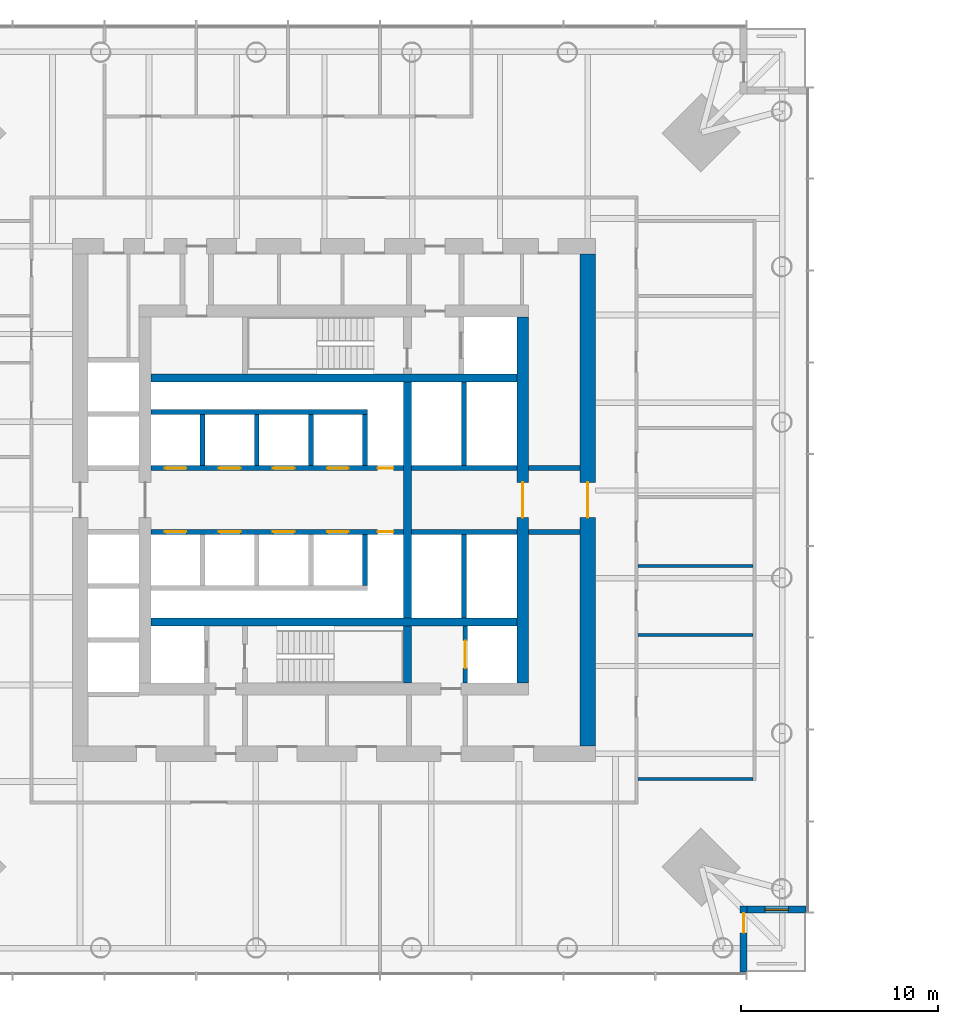
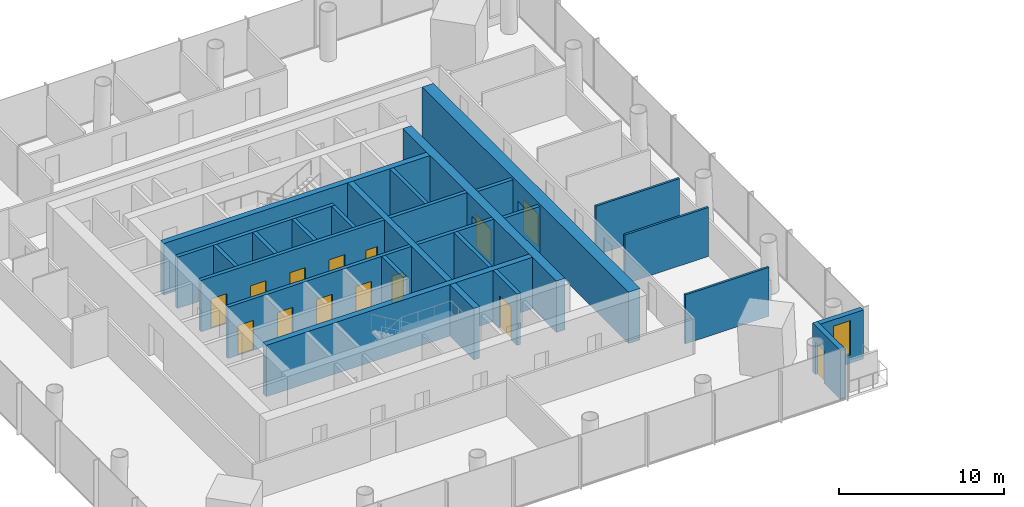
# One storey, part 11 of 21: 26 walls, 14 doors, 1 window, 15 openings.
"""IFC4 building model written with IfcOpenShell, lengths in metres."""

from ifc_helpers import new_model, si_unit, direction, frame, frame_2d, origin, place, context, subcontext, project, spatial, rectangle, extrude, material, layer, layer_set, type_object, element, fill, save


model = new_model("IFC4")

# Units and contexts
model_context = context("Model", 3, precision=1e-05, world=origin(), true_north=direction((0.0, 1.0)))
body_context = subcontext(model_context, "Body", "Model", "MODEL_VIEW")
ifc_project = project(units=[si_unit("LENGTHUNIT", "METRE"), si_unit("AREAUNIT", "SQUARE_METRE"), si_unit("VOLUMEUNIT", "CUBIC_METRE"), si_unit("PLANEANGLEUNIT", "RADIAN"), si_unit("MASSUNIT", "GRAM", prefix="KILO")], contexts=[model_context])

# Site, building, storey
site_placement = place(None, origin())
site = spatial("IfcSite", under=ifc_project, at=site_placement, CompositionType="ELEMENT")
building_placement = place(site_placement, origin())
building = spatial("IfcBuilding", under=site, at=building_placement, Name="Ostroluk Exchange", CompositionType="ELEMENT")
storey_placement = place(building_placement, frame((0.0, 0.0, 59.0)))
storey = spatial("IfcBuildingStorey", under=building, at=storey_placement, Name="L14", CompositionType="ELEMENT", Elevation=59.0)

# Walls
ifc_material_1 = material(Name="Concrete blockwork", Category="masonry")
ifc_layer_1 = layer(ifc_material_1, 0.25)
ifc_layer_set_1 = layer_set([ifc_layer_1], Name="Blockwork stair enclosure wall 250")
wall_type_1 = type_object("IfcWallType", Name="Blockwork stair enclosure wall 250", PredefinedType="SOLIDWALL", material=ifc_layer_set_1)
for number, where, z_axis, x_axis, name in (
    (1, (54.89990234375, 44.375, 0.0), (0.0, 0.0, 1.0), (1.0, 0.0, 0.0), "Lift lobby enclosure wall"),
    (2, (54.89990234375, 47.625, 0.0), (0.0, 0.0, 1.0), (1.0, 0.0, 0.0), "Lift lobby enclosure wall"),
):
    element("IfcWall", number, at=place(storey_placement, frame(where, z_axis=z_axis, x_axis=x_axis)), inside=storey, type_object=wall_type_1, Name=name, PredefinedType="SOLIDWALL", context=body_context, shape_type="SweptSolid", body=[
        extrude(rectangle(XDim=2.60009765625, YDim=0.25, at=frame_2d((1.300048828125, 0.0))), origin(), (0.0, 0.0, 1.0), 3.6201171875),
    ])
ifc_material_2 = material(Name="Concrete C50/60", Category="concrete")
ifc_layer_2 = layer(ifc_material_2, 0.39990234375)
ifc_layer_set_2 = layer_set([ifc_layer_2], Name="Core cross wall 400 C50/60")
wall_type_2 = type_object("IfcWallType", Name="Core cross wall 400 C50/60", PredefinedType="SHEAR", material=ifc_layer_set_2)
for number, where, z_axis, x_axis, name in (
    (3, (35.699951171875, 39.800048828125, 0.0), (0.0, 0.0, 1.0), (1.0, 0.0, 0.0), "T1 core wall XS"),
    (4, (35.699951171875, 52.199951171875, 0.0), (0.0, 0.0, 1.0), (1.0, 0.0, 0.0), "T1 core wall XN"),
):
    element("IfcWall", number, at=place(storey_placement, frame(where, z_axis=z_axis, x_axis=x_axis)), inside=storey, type_object=wall_type_2, Name=name, PredefinedType="SHEAR", context=body_context, shape_type="SweptSolid", body=[
        extrude(rectangle(XDim=18.60009765625, YDim=0.39990234375, at=frame_2d((9.300048828125, 0.0))), origin(), (0.0, 0.0, 1.0), 3.800048828125),
    ])
wall_1_placement = place(storey_placement, frame((48.72998046875, 36.699951171875, 0.0), z_axis=(0.0, 0.0, 1.0), x_axis=(0.0, 1.0, 0.0)))
element("IfcWall", 5, at=wall_1_placement, inside=storey, type_object=wall_type_2, Name="T1 core wall YE1", PredefinedType="SHEAR", context=body_context, shape_type="SweptSolid", body=[
    extrude(rectangle(XDim=2.900146484375, YDim=0.39990234375, at=frame_2d((1.4501953125, 0.0))), origin(), (0.0, 0.0, 1.0), 3.800048828125),
])
wall_2_placement = place(storey_placement, frame((48.72998046875, 40.0, 0.0), z_axis=(0.0, 0.0, 1.0), x_axis=(0.0, 1.0, 0.0)))
element("IfcWall", 6, at=wall_2_placement, inside=storey, type_object=wall_type_2, Name="T1 core wall YE2", PredefinedType="SHEAR", context=body_context, shape_type="SweptSolid", body=[
    extrude(rectangle(XDim=12.0, YDim=0.39990234375, at=frame_2d((6.0, 0.0))), origin(), (0.0, 0.0, 1.0), 3.800048828125),
])

# Wall, opening, door
ifc_material_3 = material(Name="Concrete C40/50", Category="concrete")
ifc_layer_3 = layer(ifc_material_3, 0.25)
ifc_layer_set_3 = layer_set([ifc_layer_3], Name="Core shaft wall 250")
wall_type_3 = type_object("IfcWallType", Name="Core shaft wall 250", PredefinedType="SHEAR", material=ifc_layer_set_3)
wall_3_placement = place(storey_placement, frame((51.675048828125, 36.699951171875, 0.0), z_axis=(0.0, 0.0, 1.0), x_axis=(0.0, 1.0, 0.0)))
wall_3 = element("IfcWall", 7, at=wall_3_placement, inside=storey, type_object=wall_type_3, Name="Service lift shaft wall", PredefinedType="SHEAR", context=body_context, shape_type="SweptSolid", body=[
    extrude(rectangle(XDim=2.900146484375, YDim=0.25, at=frame_2d((1.4501953125, 0.0))), origin(), (0.0, 0.0, 1.0), 3.800048828125),
])
opening_1_placement = place(wall_3_placement, frame((0.75, 0.0, 0.0)))
opening_1 = element("IfcOpeningElement", 8, at=opening_1_placement, cuts=wall_3, Name="Opening LD3", PredefinedType="OPENING", context=body_context, shape_type="SweptSolid", body=[
    extrude(rectangle(XDim=1.39990234375, YDim=2.39990234375, at=frame_2d((0.699951171875, 1.199951171875))), frame((0.0, 0.135009765625, 0.0), z_axis=(0.0, -1.0, 0.0), x_axis=(1.0, 0.0, 0.0)), (0.0, 0.0, 1.0), 0.27001953125),
])
ifc_material_4 = material(Name="Stainless steel", Category="steel")
door_type_1 = type_object("IfcDoorType", Name="Goods lift landing door E 60 1400 x 2400", OperationType="DOUBLE_DOOR_SLIDING", PredefinedType="DOOR", material=ifc_material_4)
door_1_placement = place(opening_1_placement, origin())
door_1 = element("IfcDoor", 9, at=door_1_placement, inside=storey, type_object=door_type_1, Name="Lift SL1 landing door", OperationType="DOUBLE_DOOR_SLIDING", OverallHeight=2.39990234375, OverallWidth=1.39990234375, PredefinedType="DOOR", context=body_context, shape_type="SweptSolid", body=[
    extrude(rectangle(XDim=1.39990234375, YDim=2.39990234375, at=frame_2d((0.699951171875, 1.199951171875))), frame((0.0, 0.02490234375, 0.0), z_axis=(0.0, -1.0, 0.0), x_axis=(1.0, 0.0, 0.0)), (0.0, 0.0, 1.0), 0.050048828125),
])
fill(opening_1, door_1)

# Walls
for number, where, z_axis, x_axis, name in (
    (10, (38.324951171875, 47.75, 0.0), (0.0, 0.0, 1.0), (0.0, 1.0, 0.0), "Lift shaft wall"),
    (11, (41.074951171875, 47.75, 0.0), (0.0, 0.0, 1.0), (0.0, 1.0, 0.0), "Lift shaft wall"),
    (12, (43.824951171875, 47.75, 0.0), (0.0, 0.0, 1.0), (0.0, 1.0, 0.0), "Lift shaft wall"),
    (13, (46.574951171875, 47.75, 0.0), (0.0, 0.0, 1.0), (0.0, 1.0, 0.0), "Lift shaft wall"),
):
    element("IfcWall", number, at=place(storey_placement, frame(where, z_axis=z_axis, x_axis=x_axis)), inside=storey, type_object=wall_type_3, Name=name, PredefinedType="SHEAR", context=body_context, shape_type="SweptSolid", body=[
        extrude(rectangle(XDim=2.60009765625, YDim=0.25, at=frame_2d((1.300048828125, 0.0))), origin(), (0.0, 0.0, 1.0), 3.800048828125),
    ])
wall_4_placement = place(storey_placement, frame((35.699951171875, 50.47509765625, 0.0), z_axis=(0.0, 0.0, 1.0), x_axis=(1.0, 0.0, 0.0)))
element("IfcWall", 14, at=wall_4_placement, inside=storey, type_object=wall_type_3, Name="Lift shaft wall", PredefinedType="SHEAR", context=body_context, shape_type="SweptSolid", body=[
    extrude(rectangle(XDim=11.0, YDim=0.25, at=frame_2d((5.5, 0.0))), origin(), (0.0, 0.0, 1.0), 3.800048828125),
])

# Wall, openings, doors
wall_5_placement = place(storey_placement, frame((35.699951171875, 47.625, 0.0), z_axis=(0.0, 0.0, 1.0), x_axis=(1.0, 0.0, 0.0)))
wall_5 = element("IfcWall", 15, at=wall_5_placement, inside=storey, type_object=wall_type_3, Name="Lift shaft front wall", PredefinedType="SHEAR", context=body_context, shape_type="SweptSolid", body=[
    extrude(rectangle(XDim=12.830078125, YDim=0.25, at=frame_2d((6.4150390625, 0.0))), origin(), (0.0, 0.0, 1.0), 3.800048828125),
])
opening_2_placement = place(wall_5_placement, frame((0.699951171875, 0.0, 0.0)))
opening_2 = element("IfcOpeningElement", 16, at=opening_2_placement, cuts=wall_5, Name="Opening LD", PredefinedType="OPENING", context=body_context, shape_type="SweptSolid", body=[
    extrude(rectangle(XDim=1.10009765625, YDim=2.199951171875, at=frame_2d((0.550048828125, 1.10009765625))), frame((0.0, 0.135009765625, 0.0), z_axis=(0.0, -1.0, 0.0), x_axis=(1.0, 0.0, 0.0)), (0.0, 0.0, 1.0), 0.27001953125),
])
opening_3_placement = place(wall_5_placement, frame((3.449951171875, 0.0, 0.0)))
opening_3 = element("IfcOpeningElement", 17, at=opening_3_placement, cuts=wall_5, Name="Opening LD", PredefinedType="OPENING", context=body_context, shape_type="SweptSolid", body=[
    extrude(rectangle(XDim=1.10009765625, YDim=2.199951171875, at=frame_2d((0.550048828125, 1.10009765625))), frame((0.0, 0.135009765625, 0.0), z_axis=(0.0, -1.0, 0.0), x_axis=(1.0, 0.0, 0.0)), (0.0, 0.0, 1.0), 0.27001953125),
])
opening_4_placement = place(wall_5_placement, frame((6.199951171875, 0.0, 0.0)))
opening_4 = element("IfcOpeningElement", 18, at=opening_4_placement, cuts=wall_5, Name="Opening LD", PredefinedType="OPENING", context=body_context, shape_type="SweptSolid", body=[
    extrude(rectangle(XDim=1.10009765625, YDim=2.199951171875, at=frame_2d((0.550048828125, 1.10009765625))), frame((0.0, 0.135009765625, 0.0), z_axis=(0.0, -1.0, 0.0), x_axis=(1.0, 0.0, 0.0)), (0.0, 0.0, 1.0), 0.27001953125),
])
opening_5_placement = place(wall_5_placement, frame((8.949951171875, 0.0, 0.0)))
opening_5 = element("IfcOpeningElement", 19, at=opening_5_placement, cuts=wall_5, Name="Opening LD", PredefinedType="OPENING", context=body_context, shape_type="SweptSolid", body=[
    extrude(rectangle(XDim=1.10009765625, YDim=2.199951171875, at=frame_2d((0.550048828125, 1.10009765625))), frame((0.0, 0.135009765625, 0.0), z_axis=(0.0, -1.0, 0.0), x_axis=(1.0, 0.0, 0.0)), (0.0, 0.0, 1.0), 0.27001953125),
])
opening_6_placement = place(wall_5_placement, frame((11.514892578125, 0.0, 0.0)))
opening_6 = element("IfcOpeningElement", 20, at=opening_6_placement, cuts=wall_5, Name="Opening RD60", PredefinedType="OPENING", context=body_context, shape_type="SweptSolid", body=[
    extrude(rectangle(XDim=0.800048828125, YDim=2.0, at=frame_2d((0.39990234375, 1.0))), frame((0.0, 0.135009765625, 0.0), z_axis=(0.0, -1.0, 0.0), x_axis=(1.0, 0.0, 0.0)), (0.0, 0.0, 1.0), 0.27001953125),
])
ifc_material_5 = material(Name="Stainless steel", Category="steel")
door_type_2 = type_object("IfcDoorType", Name="Lift landing door E 60 1100 x 2200", OperationType="DOUBLE_DOOR_SLIDING", PredefinedType="DOOR", material=ifc_material_5)
door_2_placement = place(opening_2_placement, origin())
door_2 = element("IfcDoor", 21, at=door_2_placement, inside=storey, type_object=door_type_2, Name="Lift PL-L1 landing door", OperationType="DOUBLE_DOOR_SLIDING", OverallHeight=2.199951171875, OverallWidth=1.10009765625, PredefinedType="DOOR", context=body_context, shape_type="SweptSolid", body=[
    extrude(rectangle(XDim=1.10009765625, YDim=2.199951171875, at=frame_2d((0.550048828125, 1.10009765625))), frame((0.0, 0.02490234375, 0.0), z_axis=(0.0, -1.0, 0.0), x_axis=(1.0, 0.0, 0.0)), (0.0, 0.0, 1.0), 0.050048828125),
])
fill(opening_2, door_2)
door_3_placement = place(opening_3_placement, origin())
door_3 = element("IfcDoor", 22, at=door_3_placement, inside=storey, type_object=door_type_2, Name="Lift PL-L2 landing door", OperationType="DOUBLE_DOOR_SLIDING", OverallHeight=2.199951171875, OverallWidth=1.10009765625, PredefinedType="DOOR", context=body_context, shape_type="SweptSolid", body=[
    extrude(rectangle(XDim=1.10009765625, YDim=2.199951171875, at=frame_2d((0.550048828125, 1.10009765625))), frame((0.0, 0.02490234375, 0.0), z_axis=(0.0, -1.0, 0.0), x_axis=(1.0, 0.0, 0.0)), (0.0, 0.0, 1.0), 0.050048828125),
])
fill(opening_3, door_3)
door_4_placement = place(opening_4_placement, origin())
door_4 = element("IfcDoor", 23, at=door_4_placement, inside=storey, type_object=door_type_2, Name="Lift PL-L3 landing door", OperationType="DOUBLE_DOOR_SLIDING", OverallHeight=2.199951171875, OverallWidth=1.10009765625, PredefinedType="DOOR", context=body_context, shape_type="SweptSolid", body=[
    extrude(rectangle(XDim=1.10009765625, YDim=2.199951171875, at=frame_2d((0.550048828125, 1.10009765625))), frame((0.0, 0.02490234375, 0.0), z_axis=(0.0, -1.0, 0.0), x_axis=(1.0, 0.0, 0.0)), (0.0, 0.0, 1.0), 0.050048828125),
])
fill(opening_4, door_4)
door_5_placement = place(opening_5_placement, origin())
door_5 = element("IfcDoor", 24, at=door_5_placement, inside=storey, type_object=door_type_2, Name="Lift PL-L4 landing door", OperationType="DOUBLE_DOOR_SLIDING", OverallHeight=2.199951171875, OverallWidth=1.10009765625, PredefinedType="DOOR", context=body_context, shape_type="SweptSolid", body=[
    extrude(rectangle(XDim=1.10009765625, YDim=2.199951171875, at=frame_2d((0.550048828125, 1.10009765625))), frame((0.0, 0.02490234375, 0.0), z_axis=(0.0, -1.0, 0.0), x_axis=(1.0, 0.0, 0.0)), (0.0, 0.0, 1.0), 0.050048828125),
])
fill(opening_5, door_5)
ifc_material_6 = material(Name="Steel", Category="steel")
door_type_3 = type_object("IfcDoorType", Name="Riser access door EI 60 800 x 2000", OperationType="SINGLE_SWING_LEFT", PredefinedType="DOOR", material=ifc_material_6)
door_6_placement = place(opening_6_placement, origin())
door_6 = element("IfcDoor", 25, at=door_6_placement, inside=storey, type_object=door_type_3, Name="Riser access door", OperationType="SINGLE_SWING_RIGHT", OverallHeight=2.0, OverallWidth=0.800048828125, PredefinedType="DOOR", context=body_context, shape_type="SweptSolid", body=[
    extrude(rectangle(XDim=0.800048828125, YDim=2.0, at=frame_2d((0.39990234375, 1.0))), frame((0.0, 0.02490234375, 0.0), z_axis=(0.0, -1.0, 0.0), x_axis=(1.0, 0.0, 0.0)), (0.0, 0.0, 1.0), 0.050048828125),
])
fill(opening_6, door_6)

# Wall
wall_6_placement = place(storey_placement, frame((46.574951171875, 44.25, 0.0), z_axis=(0.0, 0.0, 1.0), x_axis=(0.0, -1.0, 0.0)))
element("IfcWall", 26, at=wall_6_placement, inside=storey, type_object=wall_type_3, Name="Lift shaft wall", PredefinedType="SHEAR", context=body_context, shape_type="SweptSolid", body=[
    extrude(rectangle(XDim=2.60009765625, YDim=0.25, at=frame_2d((1.300048828125, 0.0))), origin(), (0.0, 0.0, 1.0), 3.800048828125),
])

# Wall, openings, doors
wall_7_placement = place(storey_placement, frame((35.699951171875, 44.375, 0.0), z_axis=(0.0, 0.0, 1.0), x_axis=(1.0, 0.0, 0.0)))
wall_7 = element("IfcWall", 27, at=wall_7_placement, inside=storey, type_object=wall_type_3, Name="Lift shaft front wall", PredefinedType="SHEAR", context=body_context, shape_type="SweptSolid", body=[
    extrude(rectangle(XDim=12.830078125, YDim=0.25, at=frame_2d((6.4150390625, 0.0))), origin(), (0.0, 0.0, 1.0), 3.800048828125),
])
opening_7_placement = place(wall_7_placement, frame((0.699951171875, 0.0, 0.0)))
opening_7 = element("IfcOpeningElement", 28, at=opening_7_placement, cuts=wall_7, Name="Opening LD", PredefinedType="OPENING", context=body_context, shape_type="SweptSolid", body=[
    extrude(rectangle(XDim=1.10009765625, YDim=2.199951171875, at=frame_2d((0.550048828125, 1.10009765625))), frame((0.0, 0.135009765625, 0.0), z_axis=(0.0, -1.0, 0.0), x_axis=(1.0, 0.0, 0.0)), (0.0, 0.0, 1.0), 0.27001953125),
])
opening_8_placement = place(wall_7_placement, frame((3.449951171875, 0.0, 0.0)))
opening_8 = element("IfcOpeningElement", 29, at=opening_8_placement, cuts=wall_7, Name="Opening LD", PredefinedType="OPENING", context=body_context, shape_type="SweptSolid", body=[
    extrude(rectangle(XDim=1.10009765625, YDim=2.199951171875, at=frame_2d((0.550048828125, 1.10009765625))), frame((0.0, 0.135009765625, 0.0), z_axis=(0.0, -1.0, 0.0), x_axis=(1.0, 0.0, 0.0)), (0.0, 0.0, 1.0), 0.27001953125),
])
opening_9_placement = place(wall_7_placement, frame((6.199951171875, 0.0, 0.0)))
opening_9 = element("IfcOpeningElement", 30, at=opening_9_placement, cuts=wall_7, Name="Opening LD", PredefinedType="OPENING", context=body_context, shape_type="SweptSolid", body=[
    extrude(rectangle(XDim=1.10009765625, YDim=2.199951171875, at=frame_2d((0.550048828125, 1.10009765625))), frame((0.0, 0.135009765625, 0.0), z_axis=(0.0, -1.0, 0.0), x_axis=(1.0, 0.0, 0.0)), (0.0, 0.0, 1.0), 0.27001953125),
])
opening_10_placement = place(wall_7_placement, frame((8.949951171875, 0.0, 0.0)))
opening_10 = element("IfcOpeningElement", 31, at=opening_10_placement, cuts=wall_7, Name="Opening LD", PredefinedType="OPENING", context=body_context, shape_type="SweptSolid", body=[
    extrude(rectangle(XDim=1.10009765625, YDim=2.199951171875, at=frame_2d((0.550048828125, 1.10009765625))), frame((0.0, 0.135009765625, 0.0), z_axis=(0.0, -1.0, 0.0), x_axis=(1.0, 0.0, 0.0)), (0.0, 0.0, 1.0), 0.27001953125),
])
opening_11_placement = place(wall_7_placement, frame((11.514892578125, 0.0, 0.0)))
opening_11 = element("IfcOpeningElement", 32, at=opening_11_placement, cuts=wall_7, Name="Opening RD60", PredefinedType="OPENING", context=body_context, shape_type="SweptSolid", body=[
    extrude(rectangle(XDim=0.800048828125, YDim=2.0, at=frame_2d((0.39990234375, 1.0))), frame((0.0, 0.135009765625, 0.0), z_axis=(0.0, -1.0, 0.0), x_axis=(1.0, 0.0, 0.0)), (0.0, 0.0, 1.0), 0.27001953125),
])
door_7_placement = place(opening_7_placement, origin())
door_7 = element("IfcDoor", 33, at=door_7_placement, inside=storey, type_object=door_type_2, Name="Lift PL-L5 landing door", OperationType="DOUBLE_DOOR_SLIDING", OverallHeight=2.199951171875, OverallWidth=1.10009765625, PredefinedType="DOOR", context=body_context, shape_type="SweptSolid", body=[
    extrude(rectangle(XDim=1.10009765625, YDim=2.199951171875, at=frame_2d((0.550048828125, 1.10009765625))), frame((0.0, 0.02490234375, 0.0), z_axis=(0.0, -1.0, 0.0), x_axis=(1.0, 0.0, 0.0)), (0.0, 0.0, 1.0), 0.050048828125),
])
fill(opening_7, door_7)
door_8_placement = place(opening_8_placement, origin())
door_8 = element("IfcDoor", 34, at=door_8_placement, inside=storey, type_object=door_type_2, Name="Lift PL-L6 landing door", OperationType="DOUBLE_DOOR_SLIDING", OverallHeight=2.199951171875, OverallWidth=1.10009765625, PredefinedType="DOOR", context=body_context, shape_type="SweptSolid", body=[
    extrude(rectangle(XDim=1.10009765625, YDim=2.199951171875, at=frame_2d((0.550048828125, 1.10009765625))), frame((0.0, 0.02490234375, 0.0), z_axis=(0.0, -1.0, 0.0), x_axis=(1.0, 0.0, 0.0)), (0.0, 0.0, 1.0), 0.050048828125),
])
fill(opening_8, door_8)
door_9_placement = place(opening_9_placement, origin())
door_9 = element("IfcDoor", 35, at=door_9_placement, inside=storey, type_object=door_type_2, Name="Lift PL-L7 landing door", OperationType="DOUBLE_DOOR_SLIDING", OverallHeight=2.199951171875, OverallWidth=1.10009765625, PredefinedType="DOOR", context=body_context, shape_type="SweptSolid", body=[
    extrude(rectangle(XDim=1.10009765625, YDim=2.199951171875, at=frame_2d((0.550048828125, 1.10009765625))), frame((0.0, 0.02490234375, 0.0), z_axis=(0.0, -1.0, 0.0), x_axis=(1.0, 0.0, 0.0)), (0.0, 0.0, 1.0), 0.050048828125),
])
fill(opening_9, door_9)
door_10_placement = place(opening_10_placement, origin())
door_10 = element("IfcDoor", 36, at=door_10_placement, inside=storey, type_object=door_type_2, Name="Lift PL-L8 landing door", OperationType="DOUBLE_DOOR_SLIDING", OverallHeight=2.199951171875, OverallWidth=1.10009765625, PredefinedType="DOOR", context=body_context, shape_type="SweptSolid", body=[
    extrude(rectangle(XDim=1.10009765625, YDim=2.199951171875, at=frame_2d((0.550048828125, 1.10009765625))), frame((0.0, 0.02490234375, 0.0), z_axis=(0.0, -1.0, 0.0), x_axis=(1.0, 0.0, 0.0)), (0.0, 0.0, 1.0), 0.050048828125),
])
fill(opening_10, door_10)
door_11_placement = place(opening_11_placement, origin())
door_11 = element("IfcDoor", 37, at=door_11_placement, inside=storey, type_object=door_type_3, Name="Riser access door", OperationType="SINGLE_SWING_RIGHT", OverallHeight=2.0, OverallWidth=0.800048828125, PredefinedType="DOOR", context=body_context, shape_type="SweptSolid", body=[
    extrude(rectangle(XDim=0.800048828125, YDim=2.0, at=frame_2d((0.39990234375, 1.0))), frame((0.0, 0.02490234375, 0.0), z_axis=(0.0, -1.0, 0.0), x_axis=(1.0, 0.0, 0.0)), (0.0, 0.0, 1.0), 0.050048828125),
])
fill(opening_11, door_11)

# Walls
wall_8_placement = place(storey_placement, frame((51.614990234375, 47.75, 0.0), z_axis=(0.0, 0.0, 1.0), x_axis=(0.0, 1.0, 0.0)))
element("IfcWall", 38, at=wall_8_placement, inside=storey, type_object=wall_type_3, Name="Lift shaft wall", PredefinedType="SHEAR", context=body_context, shape_type="SweptSolid", body=[
    extrude(rectangle(XDim=4.25, YDim=0.25, at=frame_2d((2.125, 0.0))), origin(), (0.0, 0.0, 1.0), 3.800048828125),
])
wall_9_placement = place(storey_placement, frame((48.929931640625, 47.625, 0.0), z_axis=(0.0, 0.0, 1.0), x_axis=(1.0, 0.0, 0.0)))
element("IfcWall", 39, at=wall_9_placement, inside=storey, type_object=wall_type_3, Name="Lift shaft front wall", PredefinedType="SHEAR", context=body_context, shape_type="SweptSolid", body=[
    extrude(rectangle(XDim=5.3701171875, YDim=0.25, at=frame_2d((2.68505859375, 0.0))), origin(), (0.0, 0.0, 1.0), 3.800048828125),
])
wall_10_placement = place(storey_placement, frame((51.614990234375, 44.25, 0.0), z_axis=(0.0, 0.0, 1.0), x_axis=(0.0, -1.0, 0.0)))
element("IfcWall", 40, at=wall_10_placement, inside=storey, type_object=wall_type_3, Name="Lift shaft wall", PredefinedType="SHEAR", context=body_context, shape_type="SweptSolid", body=[
    extrude(rectangle(XDim=4.25, YDim=0.25, at=frame_2d((2.125, 0.0))), origin(), (0.0, 0.0, 1.0), 3.800048828125),
])
wall_11_placement = place(storey_placement, frame((48.929931640625, 44.375, 0.0), z_axis=(0.0, 0.0, 1.0), x_axis=(1.0, 0.0, 0.0)))
element("IfcWall", 41, at=wall_11_placement, inside=storey, type_object=wall_type_3, Name="Lift shaft front wall", PredefinedType="SHEAR", context=body_context, shape_type="SweptSolid", body=[
    extrude(rectangle(XDim=5.3701171875, YDim=0.25, at=frame_2d((2.68505859375, 0.0))), origin(), (0.0, 0.0, 1.0), 3.800048828125),
])

# Wall, opening, door
ifc_material_7 = material(Name="Concrete C50/60", Category="concrete")
ifc_layer_4 = layer(ifc_material_7, 0.60009765625)
ifc_layer_set_4 = layer_set([ifc_layer_4], Name="Core wall 600 C50/60")
wall_type_4 = type_object("IfcWallType", Name="Core wall 600 C50/60", PredefinedType="SHEAR", material=ifc_layer_set_4)
wall_12_placement = place(storey_placement, frame((54.60009765625, 36.699951171875, 0.0), z_axis=(0.0, 0.0, 1.0), x_axis=(0.0, 1.0, 0.0)))
wall_12 = element("IfcWall", 42, at=wall_12_placement, inside=storey, type_object=wall_type_4, Name="T1 core wall E", PredefinedType="SHEAR", context=body_context, shape_type="SweptSolid", body=[
    extrude(rectangle(XDim=18.60009765625, YDim=0.60009765625, at=frame_2d((9.300048828125, 0.0))), origin(), (0.0, 0.0, 1.0), 3.800048828125),
])
opening_12_placement = place(wall_12_placement, frame((8.39990234375, 0.0, 0.0)))
opening_12 = element("IfcOpeningElement", 43, at=opening_12_placement, cuts=wall_12, Name="Opening FD30D", PredefinedType="OPENING", context=body_context, shape_type="SweptSolid", body=[
    extrude(rectangle(XDim=1.800048828125, YDim=2.39990234375, at=frame_2d((0.89990234375, 1.199951171875))), frame((0.0, 0.31005859375, 0.0), z_axis=(0.0, -1.0, 0.0), x_axis=(1.0, 0.0, 0.0)), (0.0, 0.0, 1.0), 0.6201171875),
])
ifc_material_8 = material(Name="Timber", Category="wood")
door_type_4 = type_object("IfcDoorType", Name="Lobby double door EI 30 1800 x 2400", OperationType="DOUBLE_DOOR_SINGLE_SWING", PredefinedType="DOOR", material=ifc_material_8)
door_12_placement = place(opening_12_placement, origin())
door_12 = element("IfcDoor", 44, at=door_12_placement, inside=storey, type_object=door_type_4, Name="Lift lobby doors", OperationType="DOUBLE_DOOR_SINGLE_SWING", OverallHeight=2.39990234375, OverallWidth=1.800048828125, PredefinedType="DOOR", context=body_context, shape_type="SweptSolid", body=[
    extrude(rectangle(XDim=1.800048828125, YDim=2.39990234375, at=frame_2d((0.89990234375, 1.199951171875))), frame((0.0, 0.02490234375, 0.0), z_axis=(0.0, -1.0, 0.0), x_axis=(1.0, 0.0, 0.0)), (0.0, 0.0, 1.0), 0.050048828125),
])
fill(opening_12, door_12)

ifc_material_9 = material(Name="Concrete C50/60", Category="concrete")
ifc_layer_5 = layer(ifc_material_9, 0.800048828125)
ifc_layer_set_5 = layer_set([ifc_layer_5], Name="Core wall 800 C50/60")
wall_type_5 = type_object("IfcWallType", Name="Core wall 800 C50/60", PredefinedType="SHEAR", material=ifc_layer_set_5)
wall_13_placement = place(storey_placement, frame((57.89990234375, 33.5, 0.0), z_axis=(0.0, 0.0, 1.0), x_axis=(0.0, 1.0, 0.0)))
wall_13 = element("IfcWall", 45, at=wall_13_placement, inside=storey, type_object=wall_type_5, Name="T1 core wall RE", PredefinedType="SHEAR", context=body_context, shape_type="SweptSolid", body=[
    extrude(rectangle(XDim=25.0, YDim=0.800048828125, at=frame_2d((12.5, 0.0))), origin(), (0.0, 0.0, 1.0), 3.800048828125),
])
opening_13_placement = place(wall_13_placement, frame((11.60009765625, 0.0, 0.0)))
opening_13 = element("IfcOpeningElement", 46, at=opening_13_placement, cuts=wall_13, Name="Opening FD30D", PredefinedType="OPENING", context=body_context, shape_type="SweptSolid", body=[
    extrude(rectangle(XDim=1.800048828125, YDim=2.39990234375, at=frame_2d((0.89990234375, 1.199951171875))), frame((0.0, 0.409912109375, 0.0), z_axis=(0.0, -1.0, 0.0), x_axis=(1.0, 0.0, 0.0)), (0.0, 0.0, 1.0), 0.820068359375),
])
door_13_placement = place(opening_13_placement, origin())
door_13 = element("IfcDoor", 47, at=door_13_placement, inside=storey, type_object=door_type_4, Name="Lift lobby doors", OperationType="DOUBLE_DOOR_SINGLE_SWING", OverallHeight=2.39990234375, OverallWidth=1.800048828125, PredefinedType="DOOR", context=body_context, shape_type="SweptSolid", body=[
    extrude(rectangle(XDim=1.800048828125, YDim=2.39990234375, at=frame_2d((0.89990234375, 1.199951171875))), frame((0.0, 0.02490234375, 0.0), z_axis=(0.0, -1.0, 0.0), x_axis=(1.0, 0.0, 0.0)), (0.0, 0.0, 1.0), 0.050048828125),
])
fill(opening_13, door_13)

ifc_material_10 = material(Name="Limestone", Category="masonry")
ifc_layer_6 = layer(ifc_material_10, 0.35009765625)
ifc_layer_set_6 = layer_set([ifc_layer_6], Name="Limestone facade wall 350")
wall_type_6 = type_object("IfcWallType", Name="Limestone facade wall 350", PredefinedType="SOLIDWALL", material=ifc_layer_set_6)
wall_14_placement = place(storey_placement, frame((65.824951171875, 22.0, 0.0), z_axis=(0.0, 0.0, 1.0), x_axis=(0.0, 1.0, 0.0)))
wall_14 = element("IfcWall", 48, at=wall_14_placement, inside=storey, type_object=wall_type_6, Name="Office tower SE corner wall L14 a", PredefinedType="SOLIDWALL", context=body_context, shape_type="SweptSolid", body=[
    extrude(rectangle(XDim=3.35009765625, YDim=0.35009765625, at=frame_2d((1.675048828125, 0.0))), origin(), (0.0, 0.0, 1.0), 3.6201171875),
])
opening_14_placement = place(wall_14_placement, frame((2.0, 0.0, 0.0)))
opening_14 = element("IfcOpeningElement", 49, at=opening_14_placement, cuts=wall_14, Name="Opening D-B1", PredefinedType="OPENING", context=body_context, shape_type="SweptSolid", body=[
    extrude(rectangle(XDim=1.0, YDim=2.39990234375, at=frame_2d((0.5, 1.199951171875))), frame((0.0, 0.18505859375, 0.0), z_axis=(0.0, -1.0, 0.0), x_axis=(1.0, 0.0, 0.0)), (0.0, 0.0, 1.0), 0.3701171875),
])
ifc_material_11 = material(Name="Bronze framed glazed door", Category="aluminium")
door_type_5 = type_object("IfcDoorType", Name="Balcony door 1000 x 2400", OperationType="SINGLE_SWING_LEFT", PredefinedType="DOOR", material=ifc_material_11)
door_14_placement = place(opening_14_placement, origin())
door_14 = element("IfcDoor", 50, at=door_14_placement, inside=storey, type_object=door_type_5, Name="Office tower SE balcony door L14", OperationType="SINGLE_SWING_RIGHT", OverallHeight=2.39990234375, OverallWidth=1.0, PredefinedType="DOOR", context=body_context, shape_type="SweptSolid", body=[
    extrude(rectangle(XDim=1.0, YDim=2.39990234375, at=frame_2d((0.5, 1.199951171875))), frame((0.0, 0.02490234375, 0.0), z_axis=(0.0, -1.0, 0.0), x_axis=(1.0, 0.0, 0.0)), (0.0, 0.0, 1.0), 0.050048828125),
])
fill(opening_14, door_14)

# Wall, opening, window
wall_15_placement = place(storey_placement, frame((66.0, 25.175048828125, 0.0), z_axis=(0.0, 0.0, 1.0), x_axis=(1.0, 0.0, 0.0)))
wall_15 = element("IfcWall", 51, at=wall_15_placement, inside=storey, type_object=wall_type_6, Name="Office tower SE corner wall L14 b", PredefinedType="SOLIDWALL", context=body_context, shape_type="SweptSolid", body=[
    extrude(rectangle(XDim=3.0, YDim=0.35009765625, at=frame_2d((1.5, 0.0))), origin(), (0.0, 0.0, 1.0), 3.6201171875),
])
opening_15_placement = place(wall_15_placement, frame((0.89990234375, 0.0, 0.60009765625)))
opening_15 = element("IfcOpeningElement", 52, at=opening_15_placement, cuts=wall_15, Name="Opening WN-L1", PredefinedType="OPENING", context=body_context, shape_type="SweptSolid", body=[
    extrude(rectangle(XDim=1.199951171875, YDim=2.550048828125, at=frame_2d((0.60009765625, 1.27490234375))), frame((0.0, 0.18505859375, 0.0), z_axis=(0.0, -1.0, 0.0), x_axis=(1.0, 0.0, 0.0)), (0.0, 0.0, 1.0), 0.3701171875),
])
ifc_material_12 = material(Name="Laminated clear glass", Category="glass")
window_type = type_object("IfcWindowType", Name="Lancet window 1200 x 2550", PartitioningType="SINGLE_PANEL", PredefinedType="WINDOW", material=ifc_material_12)
window_placement = place(opening_15_placement, origin())
window = element("IfcWindow", 53, at=window_placement, inside=storey, type_object=window_type, Name="Office tower SE lancet window L14", OverallHeight=2.550048828125, OverallWidth=1.199951171875, PartitioningType="SINGLE_PANEL", PredefinedType="WINDOW", context=body_context, shape_type="SweptSolid", body=[
    extrude(rectangle(XDim=1.199951171875, YDim=2.550048828125, at=frame_2d((0.60009765625, 1.27490234375))), frame((0.0, 0.030029296875, 0.0), z_axis=(0.0, -1.0, 0.0), x_axis=(1.0, 0.0, 0.0)), (0.0, 0.0, 1.0), 0.06005859375),
])
fill(opening_15, window)

# Walls
ifc_material_13 = material(Name="Gypsum plasterboard partition", Category="gypsum")
ifc_layer_7 = layer(ifc_material_13, 0.14990234375)
ifc_layer_set_7 = layer_set([ifc_layer_7], Name="Plasterboard partition 150")
wall_type_7 = type_object("IfcWallType", Name="Plasterboard partition 150", PredefinedType="PARTITIONING", material=ifc_layer_set_7)
for number, where, z_axis, x_axis, name in (
    (54, (60.449951171875, 31.824951171875, 0.0), (0.0, 0.0, 1.0), (1.0, 0.0, 0.0), "Partition"),
    (55, (60.449951171875, 39.131591796875, 0.0), (0.0, 0.0, 1.0), (1.0, 0.0, 0.0), "Partition"),
    (56, (60.449951171875, 42.638916015625, 0.0), (0.0, 0.0, 1.0), (1.0, 0.0, 0.0), "Partition"),
):
    element("IfcWall", number, at=place(storey_placement, frame(where, z_axis=z_axis, x_axis=x_axis)), inside=storey, type_object=wall_type_7, Name=name, PredefinedType="PARTITIONING", context=body_context, shape_type="SweptSolid", body=[
        extrude(rectangle(XDim=5.85009765625, YDim=0.14990234375, at=frame_2d((2.925048828125, 0.0))), origin(), (0.0, 0.0, 1.0), 3.6201171875),
    ])

save(model, "model.ifc")
